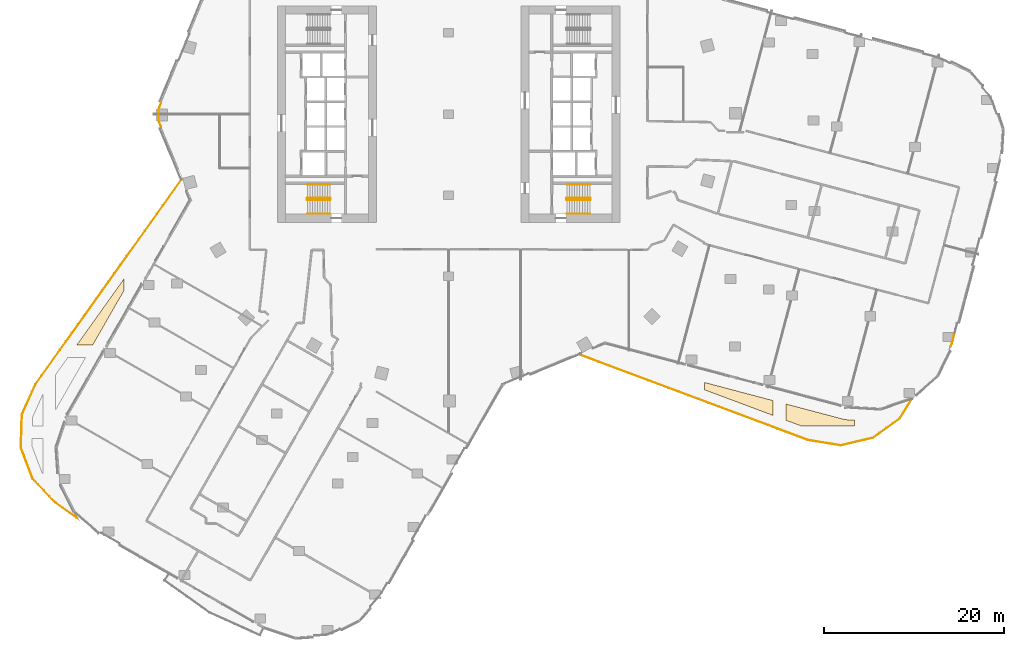
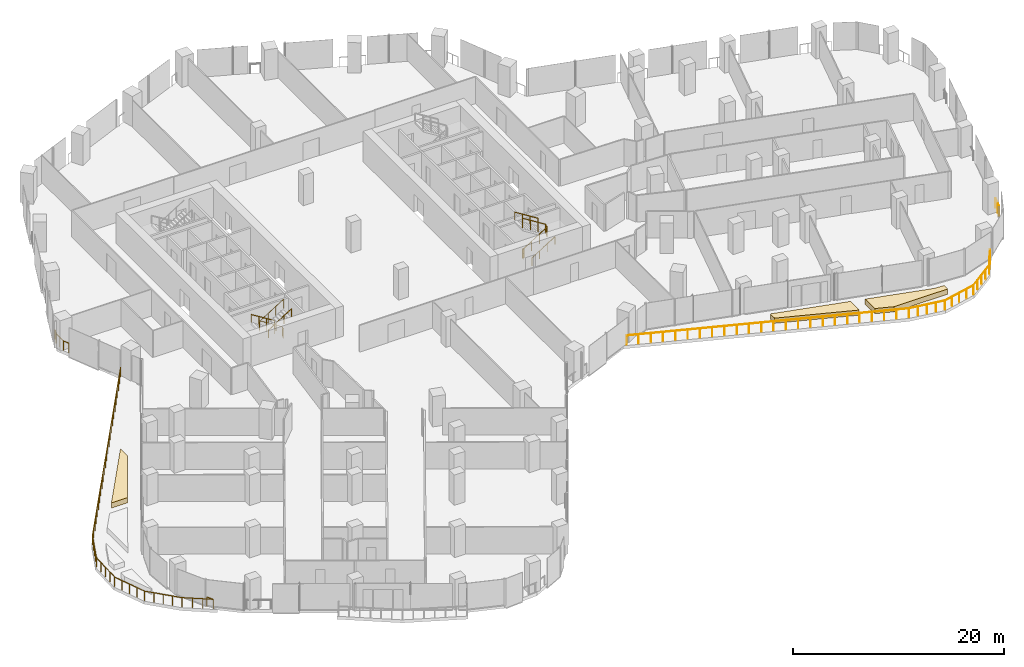
# One storey, part 31 of 34: 10 railings, 3 coverings.
"""IFC4 building model written with IfcOpenShell, lengths in metres."""

import ifcopenshell
import ifcopenshell.guid

model = None  # the IFC model being written
_history = None  # IfcOwnerHistory: only IFC2X3 demands one
_inside = {}  # id of a spatial element -> (the spatial element, [elements in it])
_under = {}  # id of a project, library or spatial element -> (it, [spatial elements below it])
_declared = {}  # id of a project -> (the project, [libraries it declares])
_typed = {}  # id of a type object -> (the type object, [elements of that type])
_made_of = {}  # id of a material, layer set ... -> (it, [elements and type objects made of it])


def new_model(schema):
    """Start an empty IFC model of exactly this schema.

    Asked for "IFC4X3", IfcOpenShell would pick the latest addendum, in which some entities
    have other attributes; the version numbers below select the first issue.
    IFC2X3 requires an IfcOwnerHistory on every rooted entity: one is made here for all.
    """
    global model, _history
    if schema == "IFC4X3":
        model = ifcopenshell.file(schema_version=(4, 3, 0, 0))
    else:
        model = ifcopenshell.file(schema=schema)
    _inside.clear()
    _under.clear()
    _declared.clear()
    _typed.clear()
    _made_of.clear()
    _history = None
    if model.schema == "IFC2X3":
        org = make("IfcOrganization", Name="unknown")
        user = make(
            "IfcPersonAndOrganization",
            ThePerson=make("IfcPerson", FamilyName="unknown"),
            TheOrganization=org,
        )
        app = make(
            "IfcApplication",
            ApplicationDeveloper=org,
            Version="unknown",
            ApplicationFullName="unknown",
            ApplicationIdentifier="unknown",
        )
        _history = make(
            "IfcOwnerHistory",
            OwningUser=user,
            OwningApplication=app,
            ChangeAction="ADDED",
            CreationDate=0,
        )
    return model


def make(cls, **values):
    """One entity of the class cls with the attributes given. An attribute that is None is left unset."""
    return model.create_entity(
        cls, **{name: value for name, value in values.items() if value is not None}
    )


def rooted(cls, **values):
    """An entity with a GlobalId (a new one), such as an element, a storey or a relation."""
    return make(cls, GlobalId=ifcopenshell.guid.new(), OwnerHistory=_history, **values)


def si_unit(unit_type, name, prefix=None):
    """IfcSIUnit, for example si_unit("LENGTHUNIT", "METRE", prefix="MILLI")."""
    return make("IfcSIUnit", UnitType=unit_type, Prefix=prefix, Name=name)


def assignment(units):
    """IfcUnitAssignment: the units of a project."""
    return None if units is None else make("IfcUnitAssignment", Units=units)


def point(xyz):
    """IfcCartesianPoint."""
    return None if xyz is None else make("IfcCartesianPoint", Coordinates=xyz)


def direction(xyz):
    """IfcDirection."""
    return None if xyz is None else make("IfcDirection", DirectionRatios=xyz)


def frame(location, z_axis=None, x_axis=None):
    """IfcAxis2Placement3D, a coordinate frame: its origin and axes. An axis left out is left unset."""
    return make(
        "IfcAxis2Placement3D",
        Location=point(location),
        Axis=direction(z_axis),
        RefDirection=direction(x_axis),
    )


def frame_2d(location, x_axis=None):
    """IfcAxis2Placement2D, a coordinate frame in the plane: its origin and x axis."""
    return make(
        "IfcAxis2Placement2D", Location=point(location), RefDirection=direction(x_axis)
    )


def origin():
    """The frame at (0, 0, 0) with its axes left unset."""
    return frame((0.0, 0.0, 0.0))


def origin_2d():
    """The frame at (0, 0) in the plane with its x axis left unset."""
    return frame_2d((0.0, 0.0))


def place(relative_to, where):
    """IfcLocalPlacement: puts the frame where relative to a parent placement (None: the world)."""
    return make(
        "IfcLocalPlacement", PlacementRelTo=relative_to, RelativePlacement=where
    )


def context(
    kind, dimensions, precision=None, world=None, true_north=None, identifier=None
):
    """IfcGeometricRepresentationContext, for example the 3D "Model" context."""
    return make(
        "IfcGeometricRepresentationContext",
        ContextIdentifier=identifier,
        ContextType=kind,
        CoordinateSpaceDimension=dimensions,
        Precision=precision,
        WorldCoordinateSystem=world,
        TrueNorth=true_north,
    )


def subcontext(parent, identifier, kind, view, scale=None):
    """IfcGeometricRepresentationSubContext, for example "Body" below "Model"."""
    return make(
        "IfcGeometricRepresentationSubContext",
        ContextIdentifier=identifier,
        ContextType=kind,
        ParentContext=parent,
        TargetScale=scale,
        TargetView=view,
    )


def project(units=None, contexts=None):
    """IfcProject with its units and contexts."""
    return rooted(
        "IfcProject",
        Name="project",
        RepresentationContexts=contexts,
        UnitsInContext=assignment(units),
    )


def spatial(cls, under=None, at=None, **own):
    """A site, building, storey or space (cls), placed at a placement, below another one or the project."""
    s = rooted(cls, ObjectPlacement=at, **own)
    if under is not None:
        _under.setdefault(under.id(), (under, []))[1].append(s)
    return s


def polyline(points):
    """IfcPolyline through the points."""
    return make("IfcPolyline", Points=[point(p) for p in points])


def profile(cls, at=None, kind="AREA", **sizes):
    """A parametric profile (cls). Its sizes go by their IFC names, for example OverallWidth=200.0."""
    return make(cls, ProfileType=kind, Position=at, **sizes)


def circle(**sizes):
    """IfcCircleProfileDef."""
    return profile("IfcCircleProfileDef", **sizes)


def outline(outer, holes=None, kind="AREA"):
    """IfcArbitraryClosedProfileDef: a profile drawn as a closed curve; with holes, ...WithVoids."""
    if holes is None:
        return make("IfcArbitraryClosedProfileDef", ProfileType=kind, OuterCurve=outer)
    return make(
        "IfcArbitraryProfileDefWithVoids",
        ProfileType=kind,
        OuterCurve=outer,
        InnerCurves=holes,
    )


def extrude(swept, where, along, depth):
    """IfcExtrudedAreaSolid: the profile swept, set in the frame where, extruded along a direction by depth."""
    return make(
        "IfcExtrudedAreaSolid",
        SweptArea=swept,
        Position=where,
        ExtrudedDirection=direction(along),
        Depth=depth,
    )


def shape(context_of_items, identifier, shape_type, items):
    """IfcShapeRepresentation: the items that make up one representation, for example the "Body"."""
    return make(
        "IfcShapeRepresentation",
        ContextOfItems=context_of_items,
        RepresentationIdentifier=identifier,
        RepresentationType=shape_type,
        Items=items,
    )


def material(Name=None, Category=None):
    """IfcMaterial."""
    return make("IfcMaterial", Name=Name, Category=Category)


def layer(
    of_material, thickness, ventilated=None, Name=None, Category=None, Priority=None
):
    """IfcMaterialLayer: one layer of a wall or slab, of a material (None: an air gap)."""
    return make(
        "IfcMaterialLayer",
        Material=of_material,
        LayerThickness=thickness,
        IsVentilated=ventilated,
        Name=Name,
        Category=Category,
        Priority=Priority,
    )


def layer_set(layers, Name=None):
    """IfcMaterialLayerSet."""
    return make("IfcMaterialLayerSet", MaterialLayers=layers, LayerSetName=Name)


def made_of(thing, what):
    """Note that an element or type object is made of a material, layer set ...; save() writes the relation."""
    if what is not None:
        _made_of.setdefault(what.id(), (what, []))[1].append(thing)
    return thing


def type_object(cls, material=None, **own):
    """A type object (cls), such as IfcWallType, which elements share."""
    return made_of(rooted(cls, **own), material)


def element(
    cls,
    number,
    at=None,
    inside=None,
    cuts=None,
    type_object=None,
    material=None,
    context=None,
    identifier="Body",
    shape_type=None,
    held_by="IfcProductDefinitionShape",
    body=None,
    shapes=None,
    **own,
):
    """One element of the class cls, such as IfcWall. Its Tag is "e" and its number.

    at: its placement. inside: the storey or other place that contains it. cuts: it is an
    opening in that element (IfcRelVoidsElement). A single representation is given by context,
    identifier, shape_type and body (its items); several are given by shapes. held_by: the class
    of the entity that holds the representations. save() writes the other relations.
    """
    e = rooted(cls, Tag="e%d" % number, ObjectPlacement=at, **own)
    if body is not None:
        shapes = [shape(context, identifier, shape_type, body)]
    if shapes is not None:
        e.Representation = make(held_by, Representations=shapes)
    if inside is not None:
        _inside.setdefault(inside.id(), (inside, []))[1].append(e)
    if cuts is not None:
        rooted(
            "IfcRelVoidsElement", RelatingBuildingElement=cuts, RelatedOpeningElement=e
        )
    if type_object is not None:
        _typed.setdefault(type_object.id(), (type_object, []))[1].append(e)
    return made_of(e, material)


def aggregate(whole, parts):
    """IfcRelAggregates: a whole, such as a stair, and the parts it consists of."""
    return rooted("IfcRelAggregates", RelatingObject=whole, RelatedObjects=parts)


def save(model, path):
    """Write the relations noted so far, then the file.

    IfcRelAggregates (storeys below a building ...), IfcRelContainedInSpatialStructure (elements
    in a storey), IfcRelDefinesByType, IfcRelAssociatesMaterial and IfcRelDeclares: one each for
    every whole, place, type object, material and project.
    """
    for whole, parts in _under.values():
        aggregate(whole, parts)
    for where, things in _inside.values():
        rooted(
            "IfcRelContainedInSpatialStructure",
            RelatedElements=things,
            RelatingStructure=where,
        )
    for kind, things in _typed.values():
        rooted("IfcRelDefinesByType", RelatedObjects=things, RelatingType=kind)
    for what, things in _made_of.values():
        rooted("IfcRelAssociatesMaterial", RelatedObjects=things, RelatingMaterial=what)
    for by, libraries in _declared.values():
        rooted("IfcRelDeclares", RelatingContext=by, RelatedDefinitions=libraries)
    model.write(path)


model = new_model("IFC4")

# Units and contexts
model_context = context("Model", 3, precision=1e-05, world=origin(), true_north=direction((0.0, 1.0)))
body_context = subcontext(model_context, "Body", "Model", "MODEL_VIEW")
ifc_project = project(units=[si_unit("LENGTHUNIT", "METRE"), si_unit("AREAUNIT", "SQUARE_METRE"), si_unit("VOLUMEUNIT", "CUBIC_METRE"), si_unit("PLANEANGLEUNIT", "RADIAN"), si_unit("MASSUNIT", "GRAM", prefix="KILO")], contexts=[model_context])

# Site, building, storey
site_placement = place(None, origin())
site = spatial("IfcSite", under=ifc_project, at=site_placement, CompositionType="ELEMENT")
building_placement = place(site_placement, origin())
building = spatial("IfcBuilding", under=site, at=building_placement, Name="Orlundy Tower", CompositionType="ELEMENT")
storey_placement = place(building_placement, frame((0.0, 0.0, 102.199951171875)))
storey = spatial("IfcBuildingStorey", under=building, at=storey_placement, Name="L25", CompositionType="ELEMENT", Elevation=102.199951171875)

# Coverings
ifc_material_1 = material(Name="Planted soil in precast concrete trough", Category="concrete")
ifc_layer = layer(ifc_material_1, 0.60009765625)
ifc_layer_set = layer_set([ifc_layer], Name="PLANTER box")
covering_type = type_object("IfcCoveringType", Name="PLANTER box", PredefinedType="USERDEFINED", material=ifc_layer_set)
covering_1_placement = place(storey_placement, origin())
element("IfcCovering", 1, at=covering_1_placement, inside=storey, type_object=covering_type, Name="PLANTER L25-00", ObjectType="PLANTER", PredefinedType="USERDEFINED", context=body_context, shape_type="SweptSolid", body=[
    extrude(outline(polyline([(28.39990234375, -30.5830078125), (28.39990234375, -29.762939453125), (36.0, -31.77490234375), (36.0, -33.424072265625), (28.39990234375, -30.5830078125)])), origin(), (0.0, 0.0, 1.0), 0.60009765625),
])
covering_2_placement = place(storey_placement, origin())
element("IfcCovering", 2, at=covering_2_placement, inside=storey, type_object=covering_type, Name="PLANTER L25-01", ObjectType="PLANTER", PredefinedType="USERDEFINED", context=body_context, shape_type="SweptSolid", body=[
    extrude(outline(polyline([(37.39990234375, -33.947998046875), (37.39990234375, -32.14599609375), (43.93896484375, -33.8779296875), (45.0, -33.945068359375), (45.0, -34.60009765625), (39.14501953125, -34.60009765625), (37.39990234375, -33.947998046875)])), origin(), (0.0, 0.0, 1.0), 0.60009765625),
])
covering_3_placement = place(storey_placement, origin())
element("IfcCovering", 3, at=covering_3_placement, inside=storey, type_object=covering_type, Name="PLANTER L25-23", ObjectType="PLANTER", PredefinedType="USERDEFINED", context=body_context, shape_type="SweptSolid", body=[
    extrude(outline(polyline([(-36.0, -18.26806640625), (-36.0, -19.555908203125), (-39.466064453125, -25.60009765625), (-41.22900390625, -25.60009765625), (-36.0, -18.26806640625)])), origin(), (0.0, 0.0, 1.0), 0.60009765625),
])

# Railings
ifc_material_2 = material(Name="Steel balustrade", Category="steel")
railing_type_1 = type_object("IfcRailingType", Name="Stair Guard 1100", PredefinedType="GUARDRAIL", material=ifc_material_2)
railing_1_placement = place(storey_placement, frame((-13.090087890625, -9.35009765625, 0.0)))
element("IfcRailing", 4, at=railing_1_placement, inside=storey, type_object=railing_type_1, Name="L25 ST-W2 stair guard 1", PredefinedType="GUARDRAIL", context=body_context, shape_type="SweptSolid", body=[
    extrude(circle(Radius=0.02392578125, at=origin_2d()), frame((0.0, 0.0, 1.076171875), z_axis=(0.0, -1.0, 0.0), x_axis=(1.0, 0.0, 0.0)), (0.0, 0.0, 1.0), 0.14990234375),
    extrude(circle(Radius=0.02392578125, at=origin_2d()), frame((0.0, -0.14990234375, 1.076171875), z_axis=(-0.18420542264, 0.739530593833, 0.647427882513), x_axis=(-0.970351222016, -0.241699205484, 0.0)), (0.0, 0.0, 1.0), 0.270263671875),
    extrude(circle(Radius=0.02392578125, at=origin_2d()), frame((-0.0498046875, 0.050048828125, 1.2509765625), z_axis=(-0.848007534815, 0.0, 0.529984170421), x_axis=(0.0, -1.0, 0.0)), (0.0, 0.0, 1.0), 2.9716796875),
    extrude(circle(Radius=0.02392578125, at=origin_2d()), frame((-2.56982421875, 0.050048828125, 2.826171875), z_axis=(-0.707106781187, -0.707106781187, 0.0), x_axis=(0.707106781187, -0.707106781187, 0.0)), (0.0, 0.0, 1.0), 0.07080078125),
    extrude(circle(Radius=0.02392578125, at=origin_2d()), frame((-2.619873046875, 0.0, 2.826171875), z_axis=(0.0, -1.0, 0.0), x_axis=(1.0, 0.0, 0.0)), (0.0, 0.0, 1.0), 0.14990234375),
    extrude(circle(Radius=0.02392578125, at=origin_2d()), frame((-2.619873046875, -0.14990234375, 2.826171875), z_axis=(0.265065253269, -0.265065253269, 0.927081885822), x_axis=(0.707106781187, 0.707106781187, 0.0)), (0.0, 0.0, 1.0), 0.188720703125),
    extrude(circle(Radius=0.02392578125, at=origin_2d()), frame((-2.56982421875, -0.199951171875, 3.0009765625), z_axis=(0.848007534815, 0.0, 0.529984170421), x_axis=(0.0, 1.0, 0.0)), (0.0, 0.0, 1.0), 2.9716796875),
    extrude(circle(Radius=0.02099609375, at=origin_2d()), origin(), (0.0, 0.0, 1.0), 1.052001953125),
    extrude(circle(Radius=0.02099609375, at=origin_2d()), frame((0.0, -0.14990234375, 0.0)), (0.0, 0.0, 1.0), 1.052001953125),
    extrude(circle(Radius=0.02099609375, at=origin_2d()), frame((-0.0498046875, 0.050048828125, 0.175048828125)), (0.0, 0.0, 1.0), 1.052001953125),
    extrude(circle(Radius=0.02099609375, at=origin_2d()), frame((-0.889892578125, 0.050048828125, 0.699951171875)), (0.0, 0.0, 1.0), 1.052001953125),
    extrude(circle(Radius=0.02099609375, at=origin_2d()), frame((-1.729736328125, 0.050048828125, 1.22509765625)), (0.0, 0.0, 1.0), 1.052001953125),
    extrude(circle(Radius=0.02099609375, at=origin_2d()), frame((-2.56982421875, 0.050048828125, 1.75)), (0.0, 0.0, 1.0), 1.052001953125),
    extrude(circle(Radius=0.02099609375, at=origin_2d()), frame((-2.619873046875, 0.0, 1.75)), (0.0, 0.0, 1.0), 1.052001953125),
    extrude(circle(Radius=0.02099609375, at=origin_2d()), frame((-2.619873046875, -0.14990234375, 1.75)), (0.0, 0.0, 1.0), 1.052001953125),
    extrude(circle(Radius=0.02099609375, at=origin_2d()), frame((-2.56982421875, -0.199951171875, 1.925048828125)), (0.0, 0.0, 1.0), 1.052001953125),
    extrude(circle(Radius=0.02099609375, at=origin_2d()), frame((-1.729736328125, -0.199951171875, 2.449951171875)), (0.0, 0.0, 1.0), 1.052001953125),
    extrude(circle(Radius=0.02099609375, at=origin_2d()), frame((-0.889892578125, -0.199951171875, 2.97509765625)), (0.0, 0.0, 1.0), 1.052001953125),
    extrude(circle(Radius=0.02099609375, at=origin_2d()), frame((-0.0498046875, -0.199951171875, 3.5)), (0.0, 0.0, 1.0), 1.052001953125),
])
railing_2_placement = place(storey_placement, frame((13.090087890625, -9.5, 0.0)))
element("IfcRailing", 5, at=railing_2_placement, inside=storey, type_object=railing_type_1, Name="L25 ST-E1 stair guard 1", PredefinedType="GUARDRAIL", context=body_context, shape_type="SweptSolid", body=[
    extrude(circle(Radius=0.02392578125, at=origin_2d()), frame((0.0, 0.0, 1.076171875), z_axis=(0.0, 1.0, 0.0), x_axis=(-1.0, 0.0, 0.0)), (0.0, 0.0, 1.0), 0.14990234375),
    extrude(circle(Radius=0.02392578125, at=origin_2d()), frame((0.0, 0.14990234375, 1.076171875), z_axis=(0.18420542264, -0.739530593833, 0.647427882513), x_axis=(0.970351222016, 0.241699205484, 0.0)), (0.0, 0.0, 1.0), 0.270263671875),
    extrude(circle(Radius=0.02392578125, at=origin_2d()), frame((0.0498046875, -0.050048828125, 1.2509765625), z_axis=(0.848007534815, 0.0, 0.529984170421), x_axis=(0.0, 1.0, 0.0)), (0.0, 0.0, 1.0), 2.9716796875),
    extrude(circle(Radius=0.02392578125, at=origin_2d()), frame((2.56982421875, -0.050048828125, 2.826171875), z_axis=(0.707106781187, 0.707106781187, 0.0), x_axis=(-0.707106781187, 0.707106781187, 0.0)), (0.0, 0.0, 1.0), 0.07080078125),
    extrude(circle(Radius=0.02392578125, at=origin_2d()), frame((2.619873046875, 0.0, 2.826171875), z_axis=(0.0, 1.0, 0.0), x_axis=(-1.0, 0.0, 0.0)), (0.0, 0.0, 1.0), 0.14990234375),
    extrude(circle(Radius=0.02392578125, at=origin_2d()), frame((2.619873046875, 0.14990234375, 2.826171875), z_axis=(-0.265065253269, 0.265065253269, 0.927081885822), x_axis=(-0.707106781187, -0.707106781187, 0.0)), (0.0, 0.0, 1.0), 0.188720703125),
    extrude(circle(Radius=0.02392578125, at=origin_2d()), frame((2.56982421875, 0.199951171875, 3.0009765625), z_axis=(-0.848007534815, 0.0, 0.529984170421), x_axis=(0.0, -1.0, 0.0)), (0.0, 0.0, 1.0), 2.9716796875),
    extrude(circle(Radius=0.02099609375, at=origin_2d()), origin(), (0.0, 0.0, 1.0), 1.052001953125),
    extrude(circle(Radius=0.02099609375, at=origin_2d()), frame((0.0, 0.14990234375, 0.0)), (0.0, 0.0, 1.0), 1.052001953125),
    extrude(circle(Radius=0.02099609375, at=origin_2d()), frame((0.0498046875, -0.050048828125, 0.175048828125)), (0.0, 0.0, 1.0), 1.052001953125),
    extrude(circle(Radius=0.02099609375, at=origin_2d()), frame((0.889892578125, -0.050048828125, 0.699951171875)), (0.0, 0.0, 1.0), 1.052001953125),
    extrude(circle(Radius=0.02099609375, at=origin_2d()), frame((1.729736328125, -0.050048828125, 1.22509765625)), (0.0, 0.0, 1.0), 1.052001953125),
    extrude(circle(Radius=0.02099609375, at=origin_2d()), frame((2.56982421875, -0.050048828125, 1.75)), (0.0, 0.0, 1.0), 1.052001953125),
    extrude(circle(Radius=0.02099609375, at=origin_2d()), frame((2.619873046875, 0.0, 1.75)), (0.0, 0.0, 1.0), 1.052001953125),
    extrude(circle(Radius=0.02099609375, at=origin_2d()), frame((2.619873046875, 0.14990234375, 1.75)), (0.0, 0.0, 1.0), 1.052001953125),
    extrude(circle(Radius=0.02099609375, at=origin_2d()), frame((2.56982421875, 0.199951171875, 1.925048828125)), (0.0, 0.0, 1.0), 1.052001953125),
    extrude(circle(Radius=0.02099609375, at=origin_2d()), frame((1.729736328125, 0.199951171875, 2.449951171875)), (0.0, 0.0, 1.0), 1.052001953125),
    extrude(circle(Radius=0.02099609375, at=origin_2d()), frame((0.889892578125, 0.199951171875, 2.97509765625)), (0.0, 0.0, 1.0), 1.052001953125),
    extrude(circle(Radius=0.02099609375, at=origin_2d()), frame((0.0498046875, 0.199951171875, 3.5)), (0.0, 0.0, 1.0), 1.052001953125),
])
ifc_material_3 = material(Name="Steel handrail", Category="steel")
railing_type_2 = type_object("IfcRailingType", Name="Stair Handrail 900", PredefinedType="HANDRAIL", material=ifc_material_3)
railing_3_placement = place(storey_placement, frame((-13.139892578125, -7.800048828125, 0.175048828125)))
element("IfcRailing", 6, at=railing_3_placement, inside=storey, type_object=railing_type_2, Name="L25 ST-W2 stair handrail 1", PredefinedType="HANDRAIL", context=body_context, shape_type="SweptSolid", body=[
    extrude(circle(Radius=0.02392578125, at=origin_2d()), frame((0.0, 0.0, 0.8759765625), z_axis=(-0.848007534815, 0.0, 0.529984170421), x_axis=(0.0, -1.0, 0.0)), (0.0, 0.0, 1.0), 2.9716796875),
    extrude(circle(Radius=0.02099609375, at=origin_2d()), origin(), (0.0, 0.0, 1.0), 0.851806640625),
    extrude(circle(Radius=0.02099609375, at=origin_2d()), frame((-0.840087890625, 0.0, 0.52490234375)), (0.0, 0.0, 1.0), 0.851806640625),
    extrude(circle(Radius=0.02099609375, at=origin_2d()), frame((-1.679931640625, 0.0, 1.050048828125)), (0.0, 0.0, 1.0), 0.851806640625),
    extrude(circle(Radius=0.02099609375, at=origin_2d()), frame((-2.52001953125, 0.0, 1.574951171875)), (0.0, 0.0, 1.0), 0.851806640625),
])
for number, where, name in (
    (7, (-15.659912109375, -11.050048828125, 1.925048828125), "L25 ST-W2 stair handrail 2"),
    (8, (13.139892578125, -11.050048828125, 0.175048828125), "L25 ST-E1 stair handrail 1"),
):
    element("IfcRailing", number, at=place(storey_placement, frame(where)), inside=storey, type_object=railing_type_2, Name=name, PredefinedType="HANDRAIL", context=body_context, shape_type="SweptSolid", body=[
        extrude(circle(Radius=0.02392578125, at=origin_2d()), frame((0.0, 0.0, 0.8759765625), z_axis=(0.848007534815, 0.0, 0.529984170421), x_axis=(0.0, 1.0, 0.0)), (0.0, 0.0, 1.0), 2.9716796875),
        extrude(circle(Radius=0.02099609375, at=origin_2d()), origin(), (0.0, 0.0, 1.0), 0.851806640625),
        extrude(circle(Radius=0.02099609375, at=origin_2d()), frame((0.840087890625, 0.0, 0.52490234375)), (0.0, 0.0, 1.0), 0.851806640625),
        extrude(circle(Radius=0.02099609375, at=origin_2d()), frame((1.679931640625, 0.0, 1.050048828125)), (0.0, 0.0, 1.0), 0.851806640625),
        extrude(circle(Radius=0.02099609375, at=origin_2d()), frame((2.52001953125, 0.0, 1.574951171875)), (0.0, 0.0, 1.0), 0.851806640625),
    ])
railing_4_placement = place(storey_placement, frame((15.659912109375, -7.800048828125, 1.925048828125)))
element("IfcRailing", 9, at=railing_4_placement, inside=storey, type_object=railing_type_2, Name="L25 ST-E1 stair handrail 2", PredefinedType="HANDRAIL", context=body_context, shape_type="SweptSolid", body=[
    extrude(circle(Radius=0.02392578125, at=origin_2d()), frame((0.0, 0.0, 0.8759765625), z_axis=(-0.848007534815, 0.0, 0.529984170421), x_axis=(0.0, -1.0, 0.0)), (0.0, 0.0, 1.0), 2.9716796875),
    extrude(circle(Radius=0.02099609375, at=origin_2d()), origin(), (0.0, 0.0, 1.0), 0.851806640625),
    extrude(circle(Radius=0.02099609375, at=origin_2d()), frame((-0.840087890625, 0.0, 0.52490234375)), (0.0, 0.0, 1.0), 0.851806640625),
    extrude(circle(Radius=0.02099609375, at=origin_2d()), frame((-1.679931640625, 0.0, 1.050048828125)), (0.0, 0.0, 1.0), 0.851806640625),
    extrude(circle(Radius=0.02099609375, at=origin_2d()), frame((-2.52001953125, 0.0, 1.574951171875)), (0.0, 0.0, 1.0), 0.851806640625),
])
ifc_material_4 = material(Name="Stainless steel bronze finish", Category="steel")
railing_type_3 = type_object("IfcRailingType", Name="TG1 terrace guard", PredefinedType="GUARDRAIL", material=ifc_material_4)
railing_5_placement = place(storey_placement, frame((-31.88671875, -1.3916015625, 0.0)))
element("IfcRailing", 10, at=railing_5_placement, inside=storey, type_object=railing_type_3, Name="Guard TG-L25-E015", PredefinedType="GUARDRAIL", context=body_context, shape_type="SweptSolid", body=[
    extrude(circle(Radius=0.02490234375, at=origin_2d()), frame((0.0, 0.0, 1.09521484375), z_axis=(-0.385495686604, 0.922709637757, 0.0), x_axis=(-0.922709637757, -0.385495686604, 0.0)), (0.0, 0.0, 1.0), 0.66943359375),
    extrude(circle(Radius=0.02490234375, at=origin_2d()), frame((-0.258056640625, 0.61767578125, 1.09521484375), z_axis=(-0.003411111214, 0.999994182143, 0.0), x_axis=(-0.999994182143, -0.003411111214, 0.0)), (0.0, 0.0, 1.0), 1.35986328125),
    extrude(circle(Radius=0.02490234375, at=origin_2d()), frame((-0.2626953125, 1.9775390625, 1.09521484375), z_axis=(0.380035654806, 0.924971837991, 0.0), x_axis=(-0.924971837991, 0.380035654806, 0.0)), (0.0, 0.0, 1.0), 0.670654296875),
    extrude(circle(Radius=0.02001953125, at=origin_2d()), origin(), (0.0, 0.0, 1.0), 1.070068359375),
    extrude(circle(Radius=0.02001953125, at=origin_2d()), frame((-0.258056640625, 0.61767578125, 0.0)), (0.0, 0.0, 1.0), 1.070068359375),
    extrude(circle(Radius=0.02001953125, at=origin_2d()), frame((-0.26025390625, 1.297607421875, 0.0)), (0.0, 0.0, 1.0), 1.070068359375),
    extrude(circle(Radius=0.02001953125, at=origin_2d()), frame((-0.2626953125, 1.9775390625, 0.0)), (0.0, 0.0, 1.0), 1.070068359375),
    extrude(circle(Radius=0.02001953125, at=origin_2d()), frame((-0.0078125, 2.597900390625, 0.0)), (0.0, 0.0, 1.0), 1.070068359375),
])
railing_6_placement = place(storey_placement, frame((56.051025390625, -24.519775390625, 0.0)))
element("IfcRailing", 11, at=railing_6_placement, inside=storey, type_object=railing_type_3, Name="Guard TG-L25-E026", PredefinedType="GUARDRAIL", context=body_context, shape_type="SweptSolid", body=[
    extrude(circle(Radius=0.02490234375, at=origin_2d()), frame((0.0, 0.0, 1.09521484375), z_axis=(-0.255977583643, -0.966682717686, 0.0), x_axis=(0.966682717686, -0.255977583643, 0.0)), (0.0, 0.0, 1.0), 0.947021484375),
    extrude(circle(Radius=0.02490234375, at=origin_2d()), frame((-0.242431640625, -0.91552734375, 1.09521484375), z_axis=(-0.349615101407, -0.936893420229, 0.0), x_axis=(0.936893420229, -0.349615101407, 0.0)), (0.0, 0.0, 1.0), 0.390380859375),
    extrude(circle(Radius=0.02001953125, at=origin_2d()), origin(), (0.0, 0.0, 1.0), 1.070068359375),
    extrude(circle(Radius=0.02001953125, at=origin_2d()), frame((-0.242431640625, -0.91552734375, 0.0)), (0.0, 0.0, 1.0), 1.070068359375),
    extrude(circle(Radius=0.02001953125, at=origin_2d()), frame((-0.37890625, -1.28125, 0.0)), (0.0, 0.0, 1.0), 1.070068359375),
])
railing_7_placement = place(storey_placement, frame((51.366455078125, -31.595703125, 0.0)))
element("IfcRailing", 12, at=railing_7_placement, inside=storey, type_object=railing_type_3, Name="Guard TG-L25-00", PredefinedType="GUARDRAIL", context=body_context, shape_type="SweptSolid", body=[
    extrude(circle(Radius=0.02490234375, at=origin_2d()), frame((0.0, 0.0, 1.09521484375), z_axis=(-0.526745175051, -0.850023247071, 0.0), x_axis=(0.850023247071, -0.526745175051, 0.0)), (0.0, 0.0, 1.0), 2.5390625),
    extrude(circle(Radius=0.02490234375, at=origin_2d()), frame((-1.33740234375, -2.158203125, 1.09521484375), z_axis=(-0.811405501746, -0.584483628288, 0.0), x_axis=(0.584483628288, -0.811405501746, 0.0)), (0.0, 0.0, 1.0), 3.66650390625),
    extrude(circle(Radius=0.02490234375, at=origin_2d()), frame((-4.3125, -4.30126953125, 1.09521484375), z_axis=(-0.973353404594, -0.229310160625, 0.0), x_axis=(0.229310160625, -0.973353404594, 0.0)), (0.0, 0.0, 1.0), 3.667724609375),
    extrude(circle(Radius=0.02490234375, at=origin_2d()), frame((-7.882568359375, -5.142333984375, 1.09521484375), z_axis=(-0.986993797218, 0.160758341164, 0.0), x_axis=(-0.160758341164, -0.986993797218, 0.0)), (0.0, 0.0, 1.0), 3.6767578125),
    extrude(circle(Radius=0.02490234375, at=origin_2d()), frame((-11.511474609375, -4.55126953125, 1.09521484375), z_axis=(-0.936667993642, 0.350218602715, 0.0), x_axis=(-0.350218602715, -0.936667993642, 0.0)), (0.0, 0.0, 1.0), 27.11962890625),
    extrude(circle(Radius=0.02001953125, at=origin_2d()), origin(), (0.0, 0.0, 1.0), 1.070068359375),
    extrude(circle(Radius=0.02001953125, at=origin_2d()), frame((-0.44580078125, -0.719482421875, 0.0)), (0.0, 0.0, 1.0), 1.070068359375),
    extrude(circle(Radius=0.02001953125, at=origin_2d()), frame((-0.8916015625, -1.438720703125, 0.0)), (0.0, 0.0, 1.0), 1.070068359375),
    extrude(circle(Radius=0.02001953125, at=origin_2d()), frame((-1.33740234375, -2.158203125, 0.0)), (0.0, 0.0, 1.0), 1.070068359375),
    extrude(circle(Radius=0.02001953125, at=origin_2d()), frame((-2.0810546875, -2.69384765625, 0.0)), (0.0, 0.0, 1.0), 1.070068359375),
    extrude(circle(Radius=0.02001953125, at=origin_2d()), frame((-2.824951171875, -3.229736328125, 0.0)), (0.0, 0.0, 1.0), 1.070068359375),
    extrude(circle(Radius=0.02001953125, at=origin_2d()), frame((-3.56884765625, -3.765625, 0.0)), (0.0, 0.0, 1.0), 1.070068359375),
    extrude(circle(Radius=0.02001953125, at=origin_2d()), frame((-4.3125, -4.30126953125, 0.0)), (0.0, 0.0, 1.0), 1.070068359375),
    extrude(circle(Radius=0.02001953125, at=origin_2d()), frame((-5.205078125, -4.511474609375, 0.0)), (0.0, 0.0, 1.0), 1.070068359375),
    extrude(circle(Radius=0.02001953125, at=origin_2d()), frame((-6.09765625, -4.7216796875, 0.0)), (0.0, 0.0, 1.0), 1.070068359375),
    extrude(circle(Radius=0.02001953125, at=origin_2d()), frame((-6.989990234375, -4.93212890625, 0.0)), (0.0, 0.0, 1.0), 1.070068359375),
    extrude(circle(Radius=0.02001953125, at=origin_2d()), frame((-7.882568359375, -5.142333984375, 0.0)), (0.0, 0.0, 1.0), 1.070068359375),
    extrude(circle(Radius=0.02001953125, at=origin_2d()), frame((-8.789794921875, -4.99462890625, 0.0)), (0.0, 0.0, 1.0), 1.070068359375),
    extrude(circle(Radius=0.02001953125, at=origin_2d()), frame((-9.697021484375, -4.8466796875, 0.0)), (0.0, 0.0, 1.0), 1.070068359375),
    extrude(circle(Radius=0.02001953125, at=origin_2d()), frame((-10.604248046875, -4.698974609375, 0.0)), (0.0, 0.0, 1.0), 1.070068359375),
    extrude(circle(Radius=0.02001953125, at=origin_2d()), frame((-11.511474609375, -4.55126953125, 0.0)), (0.0, 0.0, 1.0), 1.070068359375),
    extrude(circle(Radius=0.02001953125, at=origin_2d()), frame((-12.615966796875, -4.138427734375, 0.0)), (0.0, 0.0, 1.0), 1.070068359375),
    extrude(circle(Radius=0.02001953125, at=origin_2d()), frame((-13.720458984375, -3.725341796875, 0.0)), (0.0, 0.0, 1.0), 1.070068359375),
    extrude(circle(Radius=0.02001953125, at=origin_2d()), frame((-14.82470703125, -3.3125, 0.0)), (0.0, 0.0, 1.0), 1.070068359375),
    extrude(circle(Radius=0.02001953125, at=origin_2d()), frame((-15.92919921875, -2.8994140625, 0.0)), (0.0, 0.0, 1.0), 1.070068359375),
    extrude(circle(Radius=0.02001953125, at=origin_2d()), frame((-17.03369140625, -2.486572265625, 0.0)), (0.0, 0.0, 1.0), 1.070068359375),
    extrude(circle(Radius=0.02001953125, at=origin_2d()), frame((-18.13818359375, -2.073486328125, 0.0)), (0.0, 0.0, 1.0), 1.070068359375),
    extrude(circle(Radius=0.02001953125, at=origin_2d()), frame((-19.242431640625, -1.66064453125, 0.0)), (0.0, 0.0, 1.0), 1.070068359375),
    extrude(circle(Radius=0.02001953125, at=origin_2d()), frame((-20.346923828125, -1.247802734375, 0.0)), (0.0, 0.0, 1.0), 1.070068359375),
    extrude(circle(Radius=0.02001953125, at=origin_2d()), frame((-21.451416015625, -0.834716796875, 0.0)), (0.0, 0.0, 1.0), 1.070068359375),
    extrude(circle(Radius=0.02001953125, at=origin_2d()), frame((-22.555908203125, -0.421875, 0.0)), (0.0, 0.0, 1.0), 1.070068359375),
    extrude(circle(Radius=0.02001953125, at=origin_2d()), frame((-23.660400390625, -0.0087890625, 0.0)), (0.0, 0.0, 1.0), 1.070068359375),
    extrude(circle(Radius=0.02001953125, at=origin_2d()), frame((-24.7646484375, 0.404052734375, 0.0)), (0.0, 0.0, 1.0), 1.070068359375),
    extrude(circle(Radius=0.02001953125, at=origin_2d()), frame((-25.869140625, 0.817138671875, 0.0)), (0.0, 0.0, 1.0), 1.070068359375),
    extrude(circle(Radius=0.02001953125, at=origin_2d()), frame((-26.9736328125, 1.22998046875, 0.0)), (0.0, 0.0, 1.0), 1.070068359375),
    extrude(circle(Radius=0.02001953125, at=origin_2d()), frame((-28.078125, 1.64306640625, 0.0)), (0.0, 0.0, 1.0), 1.070068359375),
    extrude(circle(Radius=0.02001953125, at=origin_2d()), frame((-29.1826171875, 2.055908203125, 0.0)), (0.0, 0.0, 1.0), 1.070068359375),
    extrude(circle(Radius=0.02001953125, at=origin_2d()), frame((-30.286865234375, 2.46875, 0.0)), (0.0, 0.0, 1.0), 1.070068359375),
    extrude(circle(Radius=0.02001953125, at=origin_2d()), frame((-31.391357421875, 2.8818359375, 0.0)), (0.0, 0.0, 1.0), 1.070068359375),
    extrude(circle(Radius=0.02001953125, at=origin_2d()), frame((-32.495849609375, 3.294677734375, 0.0)), (0.0, 0.0, 1.0), 1.070068359375),
    extrude(circle(Radius=0.02001953125, at=origin_2d()), frame((-33.600341796875, 3.707763671875, 0.0)), (0.0, 0.0, 1.0), 1.070068359375),
    extrude(circle(Radius=0.02001953125, at=origin_2d()), frame((-34.70458984375, 4.12060546875, 0.0)), (0.0, 0.0, 1.0), 1.070068359375),
    extrude(circle(Radius=0.02001953125, at=origin_2d()), frame((-35.80908203125, 4.53369140625, 0.0)), (0.0, 0.0, 1.0), 1.070068359375),
    extrude(circle(Radius=0.02001953125, at=origin_2d()), frame((-36.91357421875, 4.946533203125, 0.0)), (0.0, 0.0, 1.0), 1.070068359375),
])
railing_8_placement = place(storey_placement, frame((-41.51318359375, -44.15771484375, 0.0)))
element("IfcRailing", 13, at=railing_8_placement, inside=storey, type_object=railing_type_3, Name="Guard TG-L25-20", PredefinedType="GUARDRAIL", context=body_context, shape_type="SweptSolid", body=[
    extrude(circle(Radius=0.02490234375, at=origin_2d()), frame((0.0, 0.0, 1.09521484375), z_axis=(0.445073824413, -0.895493880952, 0.0), x_axis=(0.895493880952, 0.445073824413, 0.0)), (0.0, 0.0, 1.0), 0.730712890625),
    extrude(circle(Radius=0.02490234375, at=origin_2d()), frame((0.3251953125, -0.654296875, 1.09521484375), z_axis=(-0.814148287554, 0.580657012248, 0.0), x_axis=(-0.580657012248, -0.814148287554, 0.0)), (0.0, 0.0, 1.0), 2.98095703125),
    extrude(circle(Radius=0.02490234375, at=origin_2d()), frame((-2.101806640625, 1.07666015625, 1.09521484375), z_axis=(-0.685161681725, 0.728391014425, 0.0), x_axis=(-0.728391014425, -0.685161681725, 0.0)), (0.0, 0.0, 1.0), 3.676513671875),
    extrude(circle(Radius=0.02490234375, at=origin_2d()), frame((-4.620849609375, 3.754638671875, 1.09521484375), z_axis=(-0.354170616814, 0.935180824325, 0.0), x_axis=(-0.935180824325, -0.354170616814, 0.0)), (0.0, 0.0, 1.0), 3.66796875),
    extrude(circle(Radius=0.02490234375, at=origin_2d()), frame((-5.919921875, 7.184814453125, 1.09521484375), z_axis=(0.030297190415, 0.999540934756, 0.0), x_axis=(-0.999540934756, 0.030297190415, 0.0)), (0.0, 0.0, 1.0), 3.66650390625),
    extrude(circle(Radius=0.02490234375, at=origin_2d()), frame((-5.808837890625, 10.849609375, 1.09521484375), z_axis=(0.410944379124, 0.911660417736, 0.0), x_axis=(-0.911660417736, 0.410944379124, 0.0)), (0.0, 0.0, 1.0), 3.6767578125),
    extrude(circle(Radius=0.02490234375, at=origin_2d()), frame((-4.2978515625, 14.20166015625, 1.09521484375), z_axis=(0.580703103042, 0.814115413266, 0.0), x_axis=(-0.814115413266, 0.580703103042, 0.0)), (0.0, 0.0, 1.0), 27.844482421875),
    extrude(circle(Radius=0.02001953125, at=origin_2d()), origin(), (0.0, 0.0, 1.0), 1.070068359375),
    extrude(circle(Radius=0.02001953125, at=origin_2d()), frame((0.3251953125, -0.654296875, 0.0)), (0.0, 0.0, 1.0), 1.070068359375),
    extrude(circle(Radius=0.02001953125, at=origin_2d()), frame((-0.48388671875, -0.077392578125, 0.0)), (0.0, 0.0, 1.0), 1.070068359375),
    extrude(circle(Radius=0.02001953125, at=origin_2d()), frame((-1.292724609375, 0.499755859375, 0.0)), (0.0, 0.0, 1.0), 1.070068359375),
    extrude(circle(Radius=0.02001953125, at=origin_2d()), frame((-2.101806640625, 1.07666015625, 0.0)), (0.0, 0.0, 1.0), 1.070068359375),
    extrude(circle(Radius=0.02001953125, at=origin_2d()), frame((-2.7314453125, 1.74609375, 0.0)), (0.0, 0.0, 1.0), 1.070068359375),
    extrude(circle(Radius=0.02001953125, at=origin_2d()), frame((-3.361328125, 2.41552734375, 0.0)), (0.0, 0.0, 1.0), 1.070068359375),
    extrude(circle(Radius=0.02001953125, at=origin_2d()), frame((-3.9912109375, 3.085205078125, 0.0)), (0.0, 0.0, 1.0), 1.070068359375),
    extrude(circle(Radius=0.02001953125, at=origin_2d()), frame((-4.620849609375, 3.754638671875, 0.0)), (0.0, 0.0, 1.0), 1.070068359375),
    extrude(circle(Radius=0.02001953125, at=origin_2d()), frame((-4.945556640625, 4.6123046875, 0.0)), (0.0, 0.0, 1.0), 1.070068359375),
    extrude(circle(Radius=0.02001953125, at=origin_2d()), frame((-5.2705078125, 5.4697265625, 0.0)), (0.0, 0.0, 1.0), 1.070068359375),
    extrude(circle(Radius=0.02001953125, at=origin_2d()), frame((-5.59521484375, 6.3271484375, 0.0)), (0.0, 0.0, 1.0), 1.070068359375),
    extrude(circle(Radius=0.02001953125, at=origin_2d()), frame((-5.919921875, 7.184814453125, 0.0)), (0.0, 0.0, 1.0), 1.070068359375),
    extrude(circle(Radius=0.02001953125, at=origin_2d()), frame((-5.89208984375, 8.10107421875, 0.0)), (0.0, 0.0, 1.0), 1.070068359375),
    extrude(circle(Radius=0.02001953125, at=origin_2d()), frame((-5.8642578125, 9.01708984375, 0.0)), (0.0, 0.0, 1.0), 1.070068359375),
    extrude(circle(Radius=0.02001953125, at=origin_2d()), frame((-5.836669921875, 9.933349609375, 0.0)), (0.0, 0.0, 1.0), 1.070068359375),
    extrude(circle(Radius=0.02001953125, at=origin_2d()), frame((-5.808837890625, 10.849609375, 0.0)), (0.0, 0.0, 1.0), 1.070068359375),
    extrude(circle(Radius=0.02001953125, at=origin_2d()), frame((-5.43115234375, 11.6875, 0.0)), (0.0, 0.0, 1.0), 1.070068359375),
    extrude(circle(Radius=0.02001953125, at=origin_2d()), frame((-5.05322265625, 12.525634765625, 0.0)), (0.0, 0.0, 1.0), 1.070068359375),
    extrude(circle(Radius=0.02001953125, at=origin_2d()), frame((-4.675537109375, 13.36376953125, 0.0)), (0.0, 0.0, 1.0), 1.070068359375),
    extrude(circle(Radius=0.02001953125, at=origin_2d()), frame((-4.2978515625, 14.20166015625, 0.0)), (0.0, 0.0, 1.0), 1.070068359375),
    extrude(circle(Radius=0.02001953125, at=origin_2d()), frame((-3.6240234375, 15.146240234375, 0.0)), (0.0, 0.0, 1.0), 1.070068359375),
    extrude(circle(Radius=0.02001953125, at=origin_2d()), frame((-2.950439453125, 16.0908203125, 0.0)), (0.0, 0.0, 1.0), 1.070068359375),
    extrude(circle(Radius=0.02001953125, at=origin_2d()), frame((-2.276611328125, 17.03515625, 0.0)), (0.0, 0.0, 1.0), 1.070068359375),
    extrude(circle(Radius=0.02001953125, at=origin_2d()), frame((-1.60302734375, 17.979736328125, 0.0)), (0.0, 0.0, 1.0), 1.070068359375),
    extrude(circle(Radius=0.02001953125, at=origin_2d()), frame((-0.92919921875, 18.92431640625, 0.0)), (0.0, 0.0, 1.0), 1.070068359375),
    extrude(circle(Radius=0.02001953125, at=origin_2d()), frame((-0.25537109375, 19.868896484375, 0.0)), (0.0, 0.0, 1.0), 1.070068359375),
    extrude(circle(Radius=0.02001953125, at=origin_2d()), frame((0.418212890625, 20.8134765625, 0.0)), (0.0, 0.0, 1.0), 1.070068359375),
    extrude(circle(Radius=0.02001953125, at=origin_2d()), frame((1.092041015625, 21.7578125, 0.0)), (0.0, 0.0, 1.0), 1.070068359375),
    extrude(circle(Radius=0.02001953125, at=origin_2d()), frame((1.765625, 22.702392578125, 0.0)), (0.0, 0.0, 1.0), 1.070068359375),
    extrude(circle(Radius=0.02001953125, at=origin_2d()), frame((2.439453125, 23.64697265625, 0.0)), (0.0, 0.0, 1.0), 1.070068359375),
    extrude(circle(Radius=0.02001953125, at=origin_2d()), frame((3.113037109375, 24.591552734375, 0.0)), (0.0, 0.0, 1.0), 1.070068359375),
    extrude(circle(Radius=0.02001953125, at=origin_2d()), frame((3.786865234375, 25.5361328125, 0.0)), (0.0, 0.0, 1.0), 1.070068359375),
    extrude(circle(Radius=0.02001953125, at=origin_2d()), frame((4.460693359375, 26.48046875, 0.0)), (0.0, 0.0, 1.0), 1.070068359375),
    extrude(circle(Radius=0.02001953125, at=origin_2d()), frame((5.13427734375, 27.425048828125, 0.0)), (0.0, 0.0, 1.0), 1.070068359375),
    extrude(circle(Radius=0.02001953125, at=origin_2d()), frame((5.80810546875, 28.36962890625, 0.0)), (0.0, 0.0, 1.0), 1.070068359375),
    extrude(circle(Radius=0.02001953125, at=origin_2d()), frame((6.481689453125, 29.314208984375, 0.0)), (0.0, 0.0, 1.0), 1.070068359375),
    extrude(circle(Radius=0.02001953125, at=origin_2d()), frame((7.155517578125, 30.258544921875, 0.0)), (0.0, 0.0, 1.0), 1.070068359375),
    extrude(circle(Radius=0.02001953125, at=origin_2d()), frame((7.8291015625, 31.203125, 0.0)), (0.0, 0.0, 1.0), 1.070068359375),
    extrude(circle(Radius=0.02001953125, at=origin_2d()), frame((8.5029296875, 32.147705078125, 0.0)), (0.0, 0.0, 1.0), 1.070068359375),
    extrude(circle(Radius=0.02001953125, at=origin_2d()), frame((9.1767578125, 33.09228515625, 0.0)), (0.0, 0.0, 1.0), 1.070068359375),
    extrude(circle(Radius=0.02001953125, at=origin_2d()), frame((9.850341796875, 34.036865234375, 0.0)), (0.0, 0.0, 1.0), 1.070068359375),
    extrude(circle(Radius=0.02001953125, at=origin_2d()), frame((10.524169921875, 34.981201171875, 0.0)), (0.0, 0.0, 1.0), 1.070068359375),
    extrude(circle(Radius=0.02001953125, at=origin_2d()), frame((11.19775390625, 35.92578125, 0.0)), (0.0, 0.0, 1.0), 1.070068359375),
    extrude(circle(Radius=0.02001953125, at=origin_2d()), frame((11.87158203125, 36.870361328125, 0.0)), (0.0, 0.0, 1.0), 1.070068359375),
])

save(model, "model.ifc")
